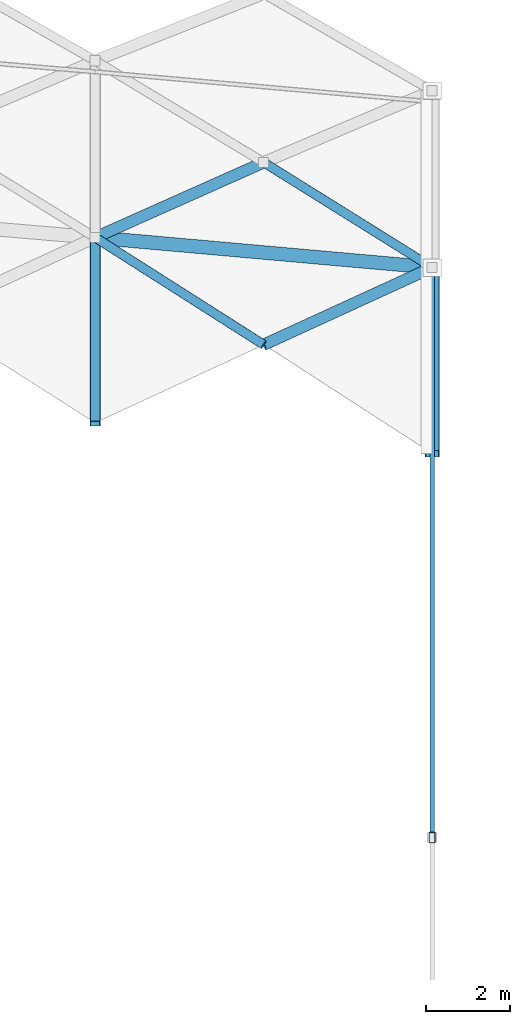
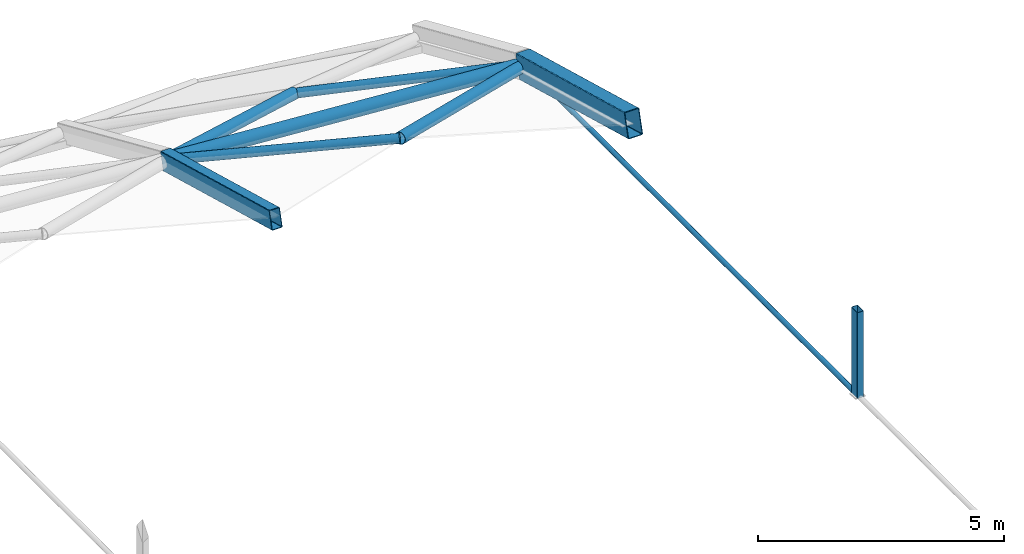
# One storey, part 15 of 54: 7 members, 2 beams.
"""IFC4 building model written with IfcOpenShell, lengths in metres."""

import ifcopenshell
import ifcopenshell.guid

model = None  # the IFC model being written
_history = None  # IfcOwnerHistory: only IFC2X3 demands one
_inside = {}  # id of a spatial element -> (the spatial element, [elements in it])
_under = {}  # id of a project, library or spatial element -> (it, [spatial elements below it])
_declared = {}  # id of a project -> (the project, [libraries it declares])
_typed = {}  # id of a type object -> (the type object, [elements of that type])
_made_of = {}  # id of a material, layer set ... -> (it, [elements and type objects made of it])


def new_model(schema):
    """Start an empty IFC model of exactly this schema.

    Asked for "IFC4X3", IfcOpenShell would pick the latest addendum, in which some entities
    have other attributes; the version numbers below select the first issue.
    IFC2X3 requires an IfcOwnerHistory on every rooted entity: one is made here for all.
    """
    global model, _history
    if schema == "IFC4X3":
        model = ifcopenshell.file(schema_version=(4, 3, 0, 0))
    else:
        model = ifcopenshell.file(schema=schema)
    _inside.clear()
    _under.clear()
    _declared.clear()
    _typed.clear()
    _made_of.clear()
    _history = None
    if model.schema == "IFC2X3":
        org = make("IfcOrganization", Name="unknown")
        user = make(
            "IfcPersonAndOrganization",
            ThePerson=make("IfcPerson", FamilyName="unknown"),
            TheOrganization=org,
        )
        app = make(
            "IfcApplication",
            ApplicationDeveloper=org,
            Version="unknown",
            ApplicationFullName="unknown",
            ApplicationIdentifier="unknown",
        )
        _history = make(
            "IfcOwnerHistory",
            OwningUser=user,
            OwningApplication=app,
            ChangeAction="ADDED",
            CreationDate=0,
        )
    return model


def make(cls, **values):
    """One entity of the class cls with the attributes given. An attribute that is None is left unset."""
    return model.create_entity(
        cls, **{name: value for name, value in values.items() if value is not None}
    )


def rooted(cls, **values):
    """An entity with a GlobalId (a new one), such as an element, a storey or a relation."""
    return make(cls, GlobalId=ifcopenshell.guid.new(), OwnerHistory=_history, **values)


def si_unit(unit_type, name, prefix=None):
    """IfcSIUnit, for example si_unit("LENGTHUNIT", "METRE", prefix="MILLI")."""
    return make("IfcSIUnit", UnitType=unit_type, Prefix=prefix, Name=name)


def assignment(units):
    """IfcUnitAssignment: the units of a project."""
    return None if units is None else make("IfcUnitAssignment", Units=units)


def point(xyz):
    """IfcCartesianPoint."""
    return None if xyz is None else make("IfcCartesianPoint", Coordinates=xyz)


def direction(xyz):
    """IfcDirection."""
    return None if xyz is None else make("IfcDirection", DirectionRatios=xyz)


def frame(location, z_axis=None, x_axis=None):
    """IfcAxis2Placement3D, a coordinate frame: its origin and axes. An axis left out is left unset."""
    return make(
        "IfcAxis2Placement3D",
        Location=point(location),
        Axis=direction(z_axis),
        RefDirection=direction(x_axis),
    )


def frame_2d(location, x_axis=None):
    """IfcAxis2Placement2D, a coordinate frame in the plane: its origin and x axis."""
    return make(
        "IfcAxis2Placement2D", Location=point(location), RefDirection=direction(x_axis)
    )


def origin():
    """The frame at (0, 0, 0) with its axes left unset."""
    return frame((0.0, 0.0, 0.0))


def origin_2d():
    """The frame at (0, 0) in the plane with its x axis left unset."""
    return frame_2d((0.0, 0.0))


def place(relative_to, where):
    """IfcLocalPlacement: puts the frame where relative to a parent placement (None: the world)."""
    return make(
        "IfcLocalPlacement", PlacementRelTo=relative_to, RelativePlacement=where
    )


def context(
    kind, dimensions, precision=None, world=None, true_north=None, identifier=None
):
    """IfcGeometricRepresentationContext, for example the 3D "Model" context."""
    return make(
        "IfcGeometricRepresentationContext",
        ContextIdentifier=identifier,
        ContextType=kind,
        CoordinateSpaceDimension=dimensions,
        Precision=precision,
        WorldCoordinateSystem=world,
        TrueNorth=true_north,
    )


def subcontext(parent, identifier, kind, view, scale=None):
    """IfcGeometricRepresentationSubContext, for example "Body" below "Model"."""
    return make(
        "IfcGeometricRepresentationSubContext",
        ContextIdentifier=identifier,
        ContextType=kind,
        ParentContext=parent,
        TargetScale=scale,
        TargetView=view,
    )


def project(units=None, contexts=None):
    """IfcProject with its units and contexts."""
    return rooted(
        "IfcProject",
        Name="project",
        RepresentationContexts=contexts,
        UnitsInContext=assignment(units),
    )


def spatial(cls, under=None, at=None, **own):
    """A site, building, storey or space (cls), placed at a placement, below another one or the project."""
    s = rooted(cls, ObjectPlacement=at, **own)
    if under is not None:
        _under.setdefault(under.id(), (under, []))[1].append(s)
    return s


def profile(cls, at=None, kind="AREA", **sizes):
    """A parametric profile (cls). Its sizes go by their IFC names, for example OverallWidth=200.0."""
    return make(cls, ProfileType=kind, Position=at, **sizes)


def hollow_rectangle(**sizes):
    """IfcRectangleHollowProfileDef."""
    return profile("IfcRectangleHollowProfileDef", **sizes)


def hollow_circle(**sizes):
    """IfcCircleHollowProfileDef."""
    return profile("IfcCircleHollowProfileDef", **sizes)


def extrude(swept, where, along, depth):
    """IfcExtrudedAreaSolid: the profile swept, set in the frame where, extruded along a direction by depth."""
    return make(
        "IfcExtrudedAreaSolid",
        SweptArea=swept,
        Position=where,
        ExtrudedDirection=direction(along),
        Depth=depth,
    )


def shape(context_of_items, identifier, shape_type, items):
    """IfcShapeRepresentation: the items that make up one representation, for example the "Body"."""
    return make(
        "IfcShapeRepresentation",
        ContextOfItems=context_of_items,
        RepresentationIdentifier=identifier,
        RepresentationType=shape_type,
        Items=items,
    )


def material(Name=None, Category=None):
    """IfcMaterial."""
    return make("IfcMaterial", Name=Name, Category=Category)


def material_profile(
    of_material, cross_section, Name=None, Category=None, Priority=None
):
    """IfcMaterialProfile: a cross section and its material."""
    return make(
        "IfcMaterialProfile",
        Name=Name,
        Material=of_material,
        Profile=cross_section,
        Priority=Priority,
        Category=Category,
    )


def profile_set(profiles, Name=None, composite=None):
    """IfcMaterialProfileSet."""
    return make(
        "IfcMaterialProfileSet",
        Name=Name,
        MaterialProfiles=profiles,
        CompositeProfile=composite,
    )


def made_of(thing, what):
    """Note that an element or type object is made of a material, layer set ...; save() writes the relation."""
    if what is not None:
        _made_of.setdefault(what.id(), (what, []))[1].append(thing)
    return thing


def type_object(cls, material=None, **own):
    """A type object (cls), such as IfcWallType, which elements share."""
    return made_of(rooted(cls, **own), material)


def element(
    cls,
    number,
    at=None,
    inside=None,
    cuts=None,
    type_object=None,
    material=None,
    context=None,
    identifier="Body",
    shape_type=None,
    held_by="IfcProductDefinitionShape",
    body=None,
    shapes=None,
    **own,
):
    """One element of the class cls, such as IfcWall. Its Tag is "e" and its number.

    at: its placement. inside: the storey or other place that contains it. cuts: it is an
    opening in that element (IfcRelVoidsElement). A single representation is given by context,
    identifier, shape_type and body (its items); several are given by shapes. held_by: the class
    of the entity that holds the representations. save() writes the other relations.
    """
    e = rooted(cls, Tag="e%d" % number, ObjectPlacement=at, **own)
    if body is not None:
        shapes = [shape(context, identifier, shape_type, body)]
    if shapes is not None:
        e.Representation = make(held_by, Representations=shapes)
    if inside is not None:
        _inside.setdefault(inside.id(), (inside, []))[1].append(e)
    if cuts is not None:
        rooted(
            "IfcRelVoidsElement", RelatingBuildingElement=cuts, RelatedOpeningElement=e
        )
    if type_object is not None:
        _typed.setdefault(type_object.id(), (type_object, []))[1].append(e)
    return made_of(e, material)


def aggregate(whole, parts):
    """IfcRelAggregates: a whole, such as a stair, and the parts it consists of."""
    return rooted("IfcRelAggregates", RelatingObject=whole, RelatedObjects=parts)


def save(model, path):
    """Write the relations noted so far, then the file.

    IfcRelAggregates (storeys below a building ...), IfcRelContainedInSpatialStructure (elements
    in a storey), IfcRelDefinesByType, IfcRelAssociatesMaterial and IfcRelDeclares: one each for
    every whole, place, type object, material and project.
    """
    for whole, parts in _under.values():
        aggregate(whole, parts)
    for where, things in _inside.values():
        rooted(
            "IfcRelContainedInSpatialStructure",
            RelatedElements=things,
            RelatingStructure=where,
        )
    for kind, things in _typed.values():
        rooted("IfcRelDefinesByType", RelatedObjects=things, RelatingType=kind)
    for what, things in _made_of.values():
        rooted("IfcRelAssociatesMaterial", RelatedObjects=things, RelatingMaterial=what)
    for by, libraries in _declared.values():
        rooted("IfcRelDeclares", RelatingContext=by, RelatedDefinitions=libraries)
    model.write(path)


model = new_model("IFC4")

# Units and contexts
model_context = context("Model", 3, precision=1e-05, world=origin(), true_north=direction((0.0, 1.0)))
body_context = subcontext(model_context, "Body", "Model", "MODEL_VIEW")
ifc_project = project(units=[si_unit("LENGTHUNIT", "METRE"), si_unit("AREAUNIT", "SQUARE_METRE"), si_unit("VOLUMEUNIT", "CUBIC_METRE"), si_unit("PLANEANGLEUNIT", "RADIAN"), si_unit("MASSUNIT", "GRAM", prefix="KILO")], contexts=[model_context])

# Site, building, storey
site_placement = place(None, origin())
site = spatial("IfcSite", under=ifc_project, at=site_placement, CompositionType="ELEMENT")
building_placement = place(site_placement, origin())
building = spatial("IfcBuilding", under=site, at=building_placement, Name="Kenh Van Central Station", CompositionType="ELEMENT")
storey_placement = place(building_placement, frame((0.0, 0.0, 15.0)))
storey = spatial("IfcBuildingStorey", under=building, at=storey_placement, Name="L03", CompositionType="ELEMENT", Elevation=15.0)

# Beams
ifc_material = material(Name="White fluoropolymer structural steel S355", Category="steel")
ifc_material_profile_1 = material_profile(ifc_material, hollow_rectangle(XDim=0.35009765625, YDim=0.60009765625, WallThickness=0.01611328125, InnerFilletRadius=0.01611328125, OuterFilletRadius=0.031982421875, at=origin_2d()), Name="RHS 600x350x16")
ifc_profile_set_1 = profile_set([ifc_material_profile_1], Name="White fluoropolymer structural steel S355")
beam_type_1 = type_object("IfcBeamType", Name="BM-VAULT-ARCH600", PredefinedType="BEAM", material=ifc_profile_set_1)
beam_1_placement = place(storey_placement, frame((144.0, 97.113037109375, 5.28173828125), z_axis=(0.0, 0.964381836979, -0.264514030829), x_axis=(-1.0, 0.0, 0.0)))
element("IfcBeam", 1, at=beam_1_placement, inside=storey, type_object=beam_type_1, Name="Vault transverse arch 174", PredefinedType="BEAM", context=body_context, shape_type="SweptSolid", body=[
    extrude(hollow_rectangle(XDim=0.35009765625, YDim=0.60009765625, WallThickness=0.01611328125, InnerFilletRadius=0.01611328125, OuterFilletRadius=0.031982421875, at=origin_2d()), origin(), (0.0, 0.0, 1.0), 4.58447265625),
])
ifc_material_profile_2 = material_profile(ifc_material, hollow_rectangle(XDim=0.25, YDim=0.449951171875, WallThickness=0.012451171875, InnerFilletRadius=0.012451171875, OuterFilletRadius=0.02490234375, at=origin_2d()), Name="RHS 450x250x12.5")
ifc_profile_set_2 = profile_set([ifc_material_profile_2], Name="White fluoropolymer structural steel S355")
beam_type_2 = type_object("IfcBeamType", Name="BM-VAULT-SUB450", PredefinedType="BEAM", material=ifc_profile_set_2)
beam_2_placement = place(storey_placement, frame((136.0, 97.8251953125, 5.28173828125), z_axis=(0.0, 0.964381836979, -0.264514030829), x_axis=(-1.0, 0.0, 0.0)))
element("IfcBeam", 2, at=beam_2_placement, inside=storey, type_object=beam_type_2, Name="Vault transverse arch 162", PredefinedType="BEAM", context=body_context, shape_type="SweptSolid", body=[
    extrude(hollow_rectangle(XDim=0.25, YDim=0.449951171875, WallThickness=0.012451171875, InnerFilletRadius=0.012451171875, OuterFilletRadius=0.02490234375, at=origin_2d()), origin(), (0.0, 0.0, 1.0), 4.58447265625),
])

# Members
ifc_material_profile_3 = material_profile(ifc_material, hollow_rectangle(XDim=0.14990234375, YDim=0.25, WallThickness=0.008056640625, InnerFilletRadius=0.008056640625, OuterFilletRadius=0.01611328125, at=origin_2d()), Name="RHS 250x150x8")
ifc_profile_set_3 = profile_set([ifc_material_profile_3], Name="White fluoropolymer structural steel S355")
member_type_1 = type_object("IfcMemberType", Name="MEM-STR-RHS250", PredefinedType="STRUT", material=ifc_profile_set_3)
member_1_placement = place(storey_placement, frame((144.0, 88.0, 4.069091796875), z_axis=(0.0, 0.0, 1.0), x_axis=(1.0, 0.0, 0.0)))
element("IfcMember", 3, at=member_1_placement, inside=storey, type_object=member_type_1, Name="Vault internal crown king strut 008", PredefinedType="STRUT", context=body_context, shape_type="SweptSolid", body=[
    extrude(hollow_rectangle(XDim=0.14990234375, YDim=0.25, WallThickness=0.008056640625, InnerFilletRadius=0.008056640625, OuterFilletRadius=0.01611328125, at=origin_2d()), origin(), (0.0, 0.0, 1.0), 2.130859375),
])
ifc_material_profile_4 = material_profile(ifc_material, hollow_circle(Radius=0.109619140625, WallThickness=0.008056640625, at=origin_2d()), Name="CHS 219.1x8")
ifc_profile_set_4 = profile_set([ifc_material_profile_4], Name="White fluoropolymer structural steel S355")
member_type_2 = type_object("IfcMemberType", Name="MEM-VAULT-BRC219", PredefinedType="BRACE", material=ifc_profile_set_4)
member_2_placement = place(storey_placement, frame((136.0, 102.246337890625, 4.069091796875), z_axis=(0.835228872819, -0.531449035592, 0.141260937902), x_axis=(0.536832175361, 0.843689051426, 0.0)))
element("IfcMember", 4, at=member_2_placement, inside=storey, type_object=member_type_2, Name="Vault diamond grid member 0627", PredefinedType="BRACE", context=body_context, shape_type="SweptSolid", body=[
    extrude(hollow_circle(Radius=0.109619140625, WallThickness=0.008056640625, at=origin_2d()), origin(), (0.0, 0.0, 1.0), 4.7890625),
])
member_3_placement = place(storey_placement, frame((140.0, 104.029541015625, 3.237060546875), z_axis=(0.835528314996, -0.521236261449, 0.173796417084), x_axis=(0.5292912255, 0.848440215106, 0.0)))
element("IfcMember", 5, at=member_3_placement, inside=storey, type_object=member_type_2, Name="Vault diamond grid member 0652", PredefinedType="BRACE", context=body_context, shape_type="SweptSolid", body=[
    extrude(hollow_circle(Radius=0.109619140625, WallThickness=0.008056640625, at=origin_2d()), origin(), (0.0, 0.0, 1.0), 4.787353515625),
])
ifc_material_profile_5 = material_profile(ifc_material, hollow_circle(Radius=0.05712890625, WallThickness=0.010009765625, at=origin_2d()), Name="CHS 114.3x10")
ifc_profile_set_5 = profile_set([ifc_material_profile_5], Name="White fluoropolymer structural steel S355")
member_type_3 = type_object("IfcMemberType", Name="MEM-VAULT-CBL114", PredefinedType="BRACE", material=ifc_profile_set_5)
member_4_placement = place(storey_placement, frame((144.0, 88.0, 4.069091796875), z_axis=(0.0, 1.0, 0.0), x_axis=(-1.0, 0.0, 0.0)))
element("IfcMember", 6, at=member_4_placement, inside=storey, type_object=member_type_3, Name="Vault internal bowstring tension tie 16", PredefinedType="BRACE", context=body_context, shape_type="SweptSolid", body=[
    extrude(hollow_circle(Radius=0.05712890625, WallThickness=0.010009765625, at=origin_2d()), origin(), (0.0, 0.0, 1.0), 13.5341796875),
])
ifc_material_profile_6 = material_profile(ifc_material, hollow_circle(Radius=0.136474609375, WallThickness=0.010009765625, at=origin_2d()), Name="CHS 273x10")
ifc_profile_set_6 = profile_set([ifc_material_profile_6], Name="White fluoropolymer structural steel S355")
member_type_4 = type_object("IfcMemberType", Name="MEM-VAULT-CHD273", PredefinedType="CHORD", material=ifc_profile_set_6)
member_5_placement = place(storey_placement, frame((136.0, 102.246337890625, 4.069091796875), z_axis=(0.89730115203, 0.400017554591, -0.186645649787), x_axis=(-0.407172677565, 0.913351197867, 0.0)))
element("IfcMember", 7, at=member_5_placement, inside=storey, type_object=member_type_4, Name="Vault diamond grid member 0626", PredefinedType="CHORD", context=body_context, shape_type="SweptSolid", body=[
    extrude(hollow_circle(Radius=0.136474609375, WallThickness=0.010009765625, at=origin_2d()), origin(), (0.0, 0.0, 1.0), 4.457763671875),
])
member_6_placement = place(storey_placement, frame((140.0, 99.701171875, 4.74560546875), z_axis=(0.898534153484, 0.411755030784, -0.15196765987), x_axis=(-0.416593570775, 0.909092842777, 0.0)))
element("IfcMember", 8, at=member_6_placement, inside=storey, type_object=member_type_4, Name="Vault diamond grid member 0649", PredefinedType="CHORD", context=body_context, shape_type="SweptSolid", body=[
    extrude(hollow_circle(Radius=0.136474609375, WallThickness=0.010009765625, at=origin_2d()), origin(), (0.0, 0.0, 1.0), 4.45166015625),
])
ifc_material_profile_7 = material_profile(ifc_material, hollow_circle(Radius=0.161865234375, WallThickness=0.010009765625, at=origin_2d()), Name="CHS 323.9x10")
ifc_profile_set_7 = profile_set([ifc_material_profile_7], Name="White fluoropolymer structural steel S355")
member_type_5 = type_object("IfcMemberType", Name="MEM-VAULT-CHD324", PredefinedType="CHORD", material=ifc_profile_set_7)
member_7_placement = place(storey_placement, frame((136.0, 102.246337890625, 4.069091796875), z_axis=(0.99606113461, -0.088669138478, 0.0), x_axis=(0.088669138478, 0.99606113461, 0.0)))
element("IfcMember", 9, at=member_7_placement, inside=storey, type_object=member_type_5, Name="Vault longitudinal spine chord 42", PredefinedType="CHORD", context=body_context, shape_type="SweptSolid", body=[
    extrude(hollow_circle(Radius=0.161865234375, WallThickness=0.010009765625, at=origin_2d()), origin(), (0.0, 0.0, 1.0), 8.03173828125),
])

save(model, "model.ifc")
